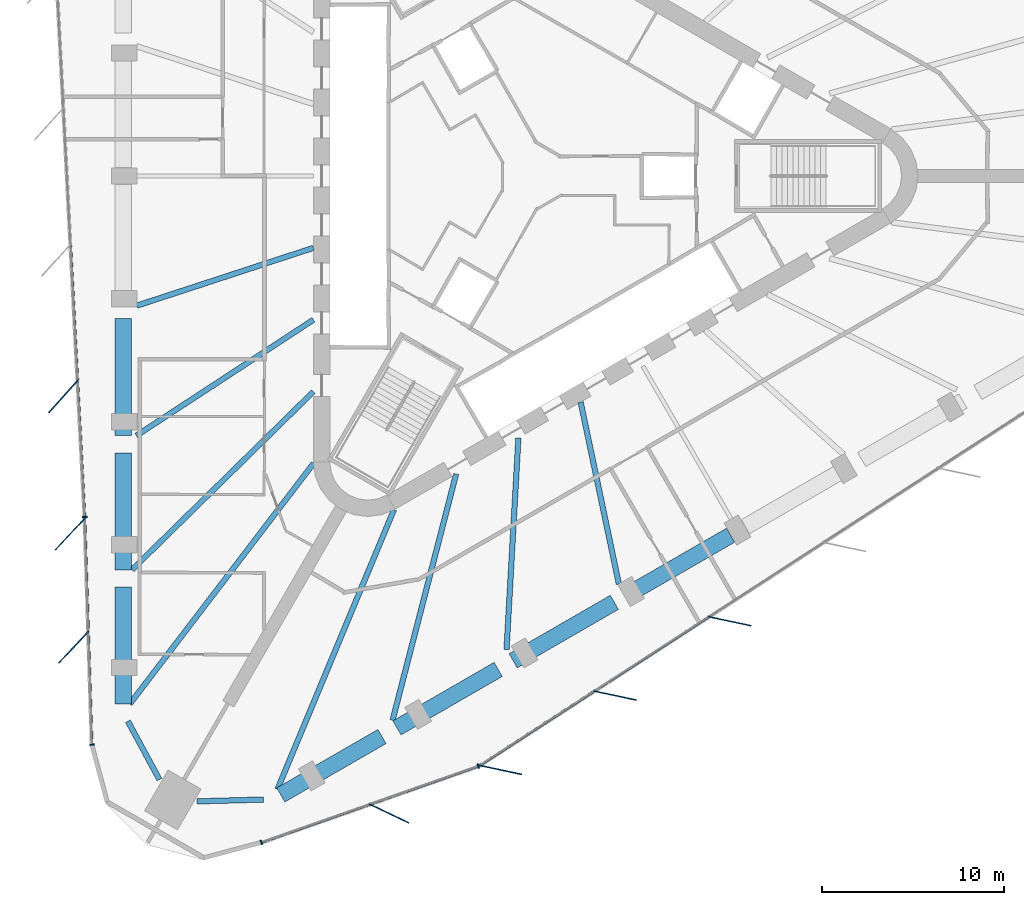
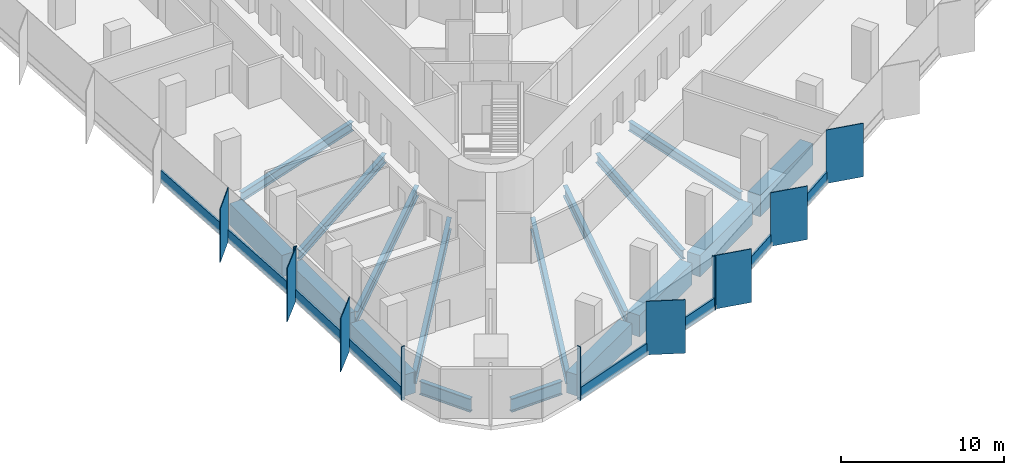
# One storey, part 2 of 13: 19 members, 17 beams, 4 elements without a shape of their own.
"""IFC4 building model written with IfcOpenShell, lengths in metres."""

import ifcopenshell
import ifcopenshell.guid

model = None  # the IFC model being written
_history = None  # IfcOwnerHistory: only IFC2X3 demands one
_inside = {}  # id of a spatial element -> (the spatial element, [elements in it])
_under = {}  # id of a project, library or spatial element -> (it, [spatial elements below it])
_declared = {}  # id of a project -> (the project, [libraries it declares])
_typed = {}  # id of a type object -> (the type object, [elements of that type])
_made_of = {}  # id of a material, layer set ... -> (it, [elements and type objects made of it])


def new_model(schema):
    """Start an empty IFC model of exactly this schema.

    Asked for "IFC4X3", IfcOpenShell would pick the latest addendum, in which some entities
    have other attributes; the version numbers below select the first issue.
    IFC2X3 requires an IfcOwnerHistory on every rooted entity: one is made here for all.
    """
    global model, _history
    if schema == "IFC4X3":
        model = ifcopenshell.file(schema_version=(4, 3, 0, 0))
    else:
        model = ifcopenshell.file(schema=schema)
    _inside.clear()
    _under.clear()
    _declared.clear()
    _typed.clear()
    _made_of.clear()
    _history = None
    if model.schema == "IFC2X3":
        org = make("IfcOrganization", Name="unknown")
        user = make(
            "IfcPersonAndOrganization",
            ThePerson=make("IfcPerson", FamilyName="unknown"),
            TheOrganization=org,
        )
        app = make(
            "IfcApplication",
            ApplicationDeveloper=org,
            Version="unknown",
            ApplicationFullName="unknown",
            ApplicationIdentifier="unknown",
        )
        _history = make(
            "IfcOwnerHistory",
            OwningUser=user,
            OwningApplication=app,
            ChangeAction="ADDED",
            CreationDate=0,
        )
    return model


def make(cls, **values):
    """One entity of the class cls with the attributes given. An attribute that is None is left unset."""
    return model.create_entity(
        cls, **{name: value for name, value in values.items() if value is not None}
    )


def rooted(cls, **values):
    """An entity with a GlobalId (a new one), such as an element, a storey or a relation."""
    return make(cls, GlobalId=ifcopenshell.guid.new(), OwnerHistory=_history, **values)


def si_unit(unit_type, name, prefix=None):
    """IfcSIUnit, for example si_unit("LENGTHUNIT", "METRE", prefix="MILLI")."""
    return make("IfcSIUnit", UnitType=unit_type, Prefix=prefix, Name=name)


def assignment(units):
    """IfcUnitAssignment: the units of a project."""
    return None if units is None else make("IfcUnitAssignment", Units=units)


def point(xyz):
    """IfcCartesianPoint."""
    return None if xyz is None else make("IfcCartesianPoint", Coordinates=xyz)


def direction(xyz):
    """IfcDirection."""
    return None if xyz is None else make("IfcDirection", DirectionRatios=xyz)


def frame(location, z_axis=None, x_axis=None):
    """IfcAxis2Placement3D, a coordinate frame: its origin and axes. An axis left out is left unset."""
    return make(
        "IfcAxis2Placement3D",
        Location=point(location),
        Axis=direction(z_axis),
        RefDirection=direction(x_axis),
    )


def frame_2d(location, x_axis=None):
    """IfcAxis2Placement2D, a coordinate frame in the plane: its origin and x axis."""
    return make(
        "IfcAxis2Placement2D", Location=point(location), RefDirection=direction(x_axis)
    )


def origin():
    """The frame at (0, 0, 0) with its axes left unset."""
    return frame((0.0, 0.0, 0.0))


def origin_2d():
    """The frame at (0, 0) in the plane with its x axis left unset."""
    return frame_2d((0.0, 0.0))


def place(relative_to, where):
    """IfcLocalPlacement: puts the frame where relative to a parent placement (None: the world)."""
    return make(
        "IfcLocalPlacement", PlacementRelTo=relative_to, RelativePlacement=where
    )


def context(
    kind, dimensions, precision=None, world=None, true_north=None, identifier=None
):
    """IfcGeometricRepresentationContext, for example the 3D "Model" context."""
    return make(
        "IfcGeometricRepresentationContext",
        ContextIdentifier=identifier,
        ContextType=kind,
        CoordinateSpaceDimension=dimensions,
        Precision=precision,
        WorldCoordinateSystem=world,
        TrueNorth=true_north,
    )


def subcontext(parent, identifier, kind, view, scale=None):
    """IfcGeometricRepresentationSubContext, for example "Body" below "Model"."""
    return make(
        "IfcGeometricRepresentationSubContext",
        ContextIdentifier=identifier,
        ContextType=kind,
        ParentContext=parent,
        TargetScale=scale,
        TargetView=view,
    )


def project(units=None, contexts=None):
    """IfcProject with its units and contexts."""
    return rooted(
        "IfcProject",
        Name="project",
        RepresentationContexts=contexts,
        UnitsInContext=assignment(units),
    )


def spatial(cls, under=None, at=None, **own):
    """A site, building, storey or space (cls), placed at a placement, below another one or the project."""
    s = rooted(cls, ObjectPlacement=at, **own)
    if under is not None:
        _under.setdefault(under.id(), (under, []))[1].append(s)
    return s


def profile(cls, at=None, kind="AREA", **sizes):
    """A parametric profile (cls). Its sizes go by their IFC names, for example OverallWidth=200.0."""
    return make(cls, ProfileType=kind, Position=at, **sizes)


def rectangle(**sizes):
    """IfcRectangleProfileDef."""
    return profile("IfcRectangleProfileDef", **sizes)


def i_section(**sizes):
    """IfcIShapeProfileDef."""
    return profile("IfcIShapeProfileDef", **sizes)


def extrude(swept, where, along, depth):
    """IfcExtrudedAreaSolid: the profile swept, set in the frame where, extruded along a direction by depth."""
    return make(
        "IfcExtrudedAreaSolid",
        SweptArea=swept,
        Position=where,
        ExtrudedDirection=direction(along),
        Depth=depth,
    )


def shape(context_of_items, identifier, shape_type, items):
    """IfcShapeRepresentation: the items that make up one representation, for example the "Body"."""
    return make(
        "IfcShapeRepresentation",
        ContextOfItems=context_of_items,
        RepresentationIdentifier=identifier,
        RepresentationType=shape_type,
        Items=items,
    )


def material(Name=None, Category=None):
    """IfcMaterial."""
    return make("IfcMaterial", Name=Name, Category=Category)


def material_profile(
    of_material, cross_section, Name=None, Category=None, Priority=None
):
    """IfcMaterialProfile: a cross section and its material."""
    return make(
        "IfcMaterialProfile",
        Name=Name,
        Material=of_material,
        Profile=cross_section,
        Priority=Priority,
        Category=Category,
    )


def profile_set(profiles, Name=None, composite=None):
    """IfcMaterialProfileSet."""
    return make(
        "IfcMaterialProfileSet",
        Name=Name,
        MaterialProfiles=profiles,
        CompositeProfile=composite,
    )


def made_of(thing, what):
    """Note that an element or type object is made of a material, layer set ...; save() writes the relation."""
    if what is not None:
        _made_of.setdefault(what.id(), (what, []))[1].append(thing)
    return thing


def type_object(cls, material=None, **own):
    """A type object (cls), such as IfcWallType, which elements share."""
    return made_of(rooted(cls, **own), material)


def element(
    cls,
    number,
    at=None,
    inside=None,
    cuts=None,
    type_object=None,
    material=None,
    context=None,
    identifier="Body",
    shape_type=None,
    held_by="IfcProductDefinitionShape",
    body=None,
    shapes=None,
    **own,
):
    """One element of the class cls, such as IfcWall. Its Tag is "e" and its number.

    at: its placement. inside: the storey or other place that contains it. cuts: it is an
    opening in that element (IfcRelVoidsElement). A single representation is given by context,
    identifier, shape_type and body (its items); several are given by shapes. held_by: the class
    of the entity that holds the representations. save() writes the other relations.
    """
    e = rooted(cls, Tag="e%d" % number, ObjectPlacement=at, **own)
    if body is not None:
        shapes = [shape(context, identifier, shape_type, body)]
    if shapes is not None:
        e.Representation = make(held_by, Representations=shapes)
    if inside is not None:
        _inside.setdefault(inside.id(), (inside, []))[1].append(e)
    if cuts is not None:
        rooted(
            "IfcRelVoidsElement", RelatingBuildingElement=cuts, RelatedOpeningElement=e
        )
    if type_object is not None:
        _typed.setdefault(type_object.id(), (type_object, []))[1].append(e)
    return made_of(e, material)


def aggregate(whole, parts):
    """IfcRelAggregates: a whole, such as a stair, and the parts it consists of."""
    return rooted("IfcRelAggregates", RelatingObject=whole, RelatedObjects=parts)


def save(model, path):
    """Write the relations noted so far, then the file.

    IfcRelAggregates (storeys below a building ...), IfcRelContainedInSpatialStructure (elements
    in a storey), IfcRelDefinesByType, IfcRelAssociatesMaterial and IfcRelDeclares: one each for
    every whole, place, type object, material and project.
    """
    for whole, parts in _under.values():
        aggregate(whole, parts)
    for where, things in _inside.values():
        rooted(
            "IfcRelContainedInSpatialStructure",
            RelatedElements=things,
            RelatingStructure=where,
        )
    for kind, things in _typed.values():
        rooted("IfcRelDefinesByType", RelatedObjects=things, RelatingType=kind)
    for what, things in _made_of.values():
        rooted("IfcRelAssociatesMaterial", RelatedObjects=things, RelatingMaterial=what)
    for by, libraries in _declared.values():
        rooted("IfcRelDeclares", RelatingContext=by, RelatedDefinitions=libraries)
    model.write(path)


model = new_model("IFC4")

# Units and contexts
model_context = context("Model", 3, precision=1e-05, world=origin(), true_north=direction((0.0, 1.0)))
body_context = subcontext(model_context, "Body", "Model", "MODEL_VIEW")
ifc_project = project(units=[si_unit("LENGTHUNIT", "METRE"), si_unit("AREAUNIT", "SQUARE_METRE"), si_unit("VOLUMEUNIT", "CUBIC_METRE"), si_unit("PLANEANGLEUNIT", "RADIAN"), si_unit("MASSUNIT", "GRAM", prefix="KILO")], contexts=[model_context])

# Site, building, storey
site_placement = place(None, origin())
site = spatial("IfcSite", under=ifc_project, at=site_placement, CompositionType="ELEMENT")
building_placement = place(site_placement, origin())
building = spatial("IfcBuilding", under=site, at=building_placement, Name="Tanit Gate Tower", CompositionType="ELEMENT")
storey_placement = place(building_placement, frame((0.0, 0.0, 169.199951171875)))
storey = spatial("IfcBuildingStorey", under=building, at=storey_placement, Name="L36", CompositionType="ELEMENT", Elevation=169.199951171875)

# Beams
ifc_material_1 = material(Name="Steel S460", Category="steel")
ifc_material_profile_1 = material_profile(ifc_material_1, i_section(OverallWidth=0.302001953125, OverallDepth=1.008056640625, WebThickness=0.02099609375, FlangeThickness=0.0400390625, FilletRadius=0.030029296875, at=origin_2d()), Name="HEM 1000")
ifc_profile_set_1 = profile_set([ifc_material_profile_1], Name="Steel S460")
beam_type_1 = type_object("IfcBeamType", Name="BELT TRUSS CHORD HEM 1000 S460", PredefinedType="BEAM", material=ifc_profile_set_1)
beam_1_placement = place(storey_placement, frame((-22.3251953125, -30.040771484375, -0.803955078125), z_axis=(0.475943110339, -0.879476068873, 0.0), x_axis=(0.879476068873, 0.475943110339, 0.0)))
element("IfcBeam", 1, at=beam_1_placement, inside=storey, type_object=beam_type_1, Name="BELT TRUSS CHORD", PredefinedType="BEAM", context=body_context, shape_type="SweptSolid", body=[
    extrude(i_section(OverallWidth=0.302001953125, OverallDepth=1.008056640625, WebThickness=0.02099609375, FlangeThickness=0.0400390625, FilletRadius=0.030029296875, at=origin_2d()), origin(), (0.0, 0.0, 1.0), 3.65478515625),
])
beam_2_placement = place(storey_placement, frame((-18.507080078125, -34.455078125, -0.803955078125), z_axis=(0.999623075292, 0.027453730969, 0.0), x_axis=(-0.027453730969, 0.999623075292, 0.0)))
element("IfcBeam", 2, at=beam_2_placement, inside=storey, type_object=beam_type_1, Name="BELT TRUSS CHORD", PredefinedType="BEAM", context=body_context, shape_type="SweptSolid", body=[
    extrude(i_section(OverallWidth=0.302001953125, OverallDepth=1.008056640625, WebThickness=0.02099609375, FlangeThickness=0.0400390625, FilletRadius=0.030029296875, at=origin_2d()), origin(), (0.0, 0.0, 1.0), 3.655029296875),
])

# Curtain wall, member
ifc_material_2 = material(Name="Aluminium bronze anodised and glass", Category="aluminium")
curtain_wall_type = type_object("IfcCurtainWallType", Name="Curtain wall typical mid", PredefinedType="NOTDEFINED", material=ifc_material_2)
curtain_wall_1_placement = place(storey_placement, origin())
curtain_wall_1 = element("IfcCurtainWall", 3, at=curtain_wall_1_placement, inside=storey, type_object=curtain_wall_type, Name="Curtain wall L36 W2", PredefinedType="NOTDEFINED")
ifc_material_3 = material(Name="Aluminium bronze anodised", Category="aluminium")
ifc_material_profile_2 = material_profile(ifc_material_3, rectangle(XDim=2.39990234375, YDim=0.055908203125, at=origin_2d()), Name="56x2400 bronze fin mullion")
ifc_profile_set_2 = profile_set([ifc_material_profile_2], Name="Aluminium bronze anodised")
member_type_1 = type_object("IfcMemberType", Name="FIN MULLION 56x2400 bronze", PredefinedType="MULLION", material=ifc_profile_set_2)
member_1_placement = place(storey_placement, frame((-25.882080078125, -12.150634765625, -0.300048828125), z_axis=(0.0, 0.0, 1.0), x_axis=(0.66948111798, 0.742829073656, 0.0)))
member_1 = element("IfcMember", 4, at=member_1_placement, type_object=member_type_1, Name="Fin mullion L36 W2.5", PredefinedType="MULLION", context=body_context, shape_type="SweptSolid", body=[
    extrude(rectangle(XDim=2.39990234375, YDim=0.055908203125, at=origin_2d()), origin(), (0.0, 0.0, 1.0), 4.0),
])

# Curtain wall, members
curtain_wall_2_placement = place(storey_placement, origin())
curtain_wall_2 = element("IfcCurtainWall", 5, at=curtain_wall_2_placement, inside=storey, type_object=curtain_wall_type, Name="Curtain wall L36 W3", PredefinedType="NOTDEFINED")
member_2_placement = place(storey_placement, frame((-25.505859375, -19.72998046875, -0.300048828125), z_axis=(0.0, 0.0, 1.0), x_axis=(0.684421819874, 0.729086258601, 0.0)))
member_2 = element("IfcMember", 6, at=member_2_placement, type_object=member_type_1, Name="Fin mullion L36 W3.1", PredefinedType="MULLION", context=body_context, shape_type="SweptSolid", body=[
    extrude(rectangle(XDim=2.39990234375, YDim=0.055908203125, at=origin_2d()), origin(), (0.0, 0.0, 1.0), 4.0),
])
member_3_placement = place(storey_placement, frame((-25.30908203125, -25.962158203125, -0.300048828125), z_axis=(0.0, 0.0, 1.0), x_axis=(0.684421819874, 0.729086258601, 0.0)))
member_3 = element("IfcMember", 7, at=member_3_placement, type_object=member_type_1, Name="Fin mullion L36 W3.2", PredefinedType="MULLION", context=body_context, shape_type="SweptSolid", body=[
    extrude(rectangle(XDim=2.39990234375, YDim=0.055908203125, at=origin_2d()), origin(), (0.0, 0.0, 1.0), 4.0),
])

# Curtain wall, member
curtain_wall_3_placement = place(storey_placement, origin())
curtain_wall_3 = element("IfcCurtainWall", 8, at=curtain_wall_3_placement, inside=storey, type_object=curtain_wall_type, Name="Curtain wall L36 SE1", PredefinedType="NOTDEFINED")
member_4_placement = place(storey_placement, frame((-7.930908203125, -35.12548828125, -0.300048828125), z_axis=(0.0, 0.0, 1.0), x_axis=(-0.901724971875, 0.432310160762, 0.0)))
member_4 = element("IfcMember", 9, at=member_4_placement, type_object=member_type_1, Name="Fin mullion L36 SE1.2", PredefinedType="MULLION", context=body_context, shape_type="SweptSolid", body=[
    extrude(rectangle(XDim=2.39990234375, YDim=0.055908203125, at=origin_2d()), origin(), (0.0, 0.0, 1.0), 4.0),
])

# Curtain wall, members
curtain_wall_4_placement = place(storey_placement, origin())
curtain_wall_4 = element("IfcCurtainWall", 10, at=curtain_wall_4_placement, inside=storey, type_object=curtain_wall_type, Name="Curtain wall L36 SE2", PredefinedType="NOTDEFINED")
member_5_placement = place(storey_placement, frame((-1.79052734375, -32.72265625, -0.300048828125), z_axis=(0.0, 0.0, 1.0), x_axis=(-0.978049407445, 0.208373118697, 0.0)))
member_5 = element("IfcMember", 11, at=member_5_placement, type_object=member_type_1, Name="Fin mullion L36 SE2.1", PredefinedType="MULLION", context=body_context, shape_type="SweptSolid", body=[
    extrude(rectangle(XDim=2.39990234375, YDim=0.055908203125, at=origin_2d()), origin(), (0.0, 0.0, 1.0), 4.0),
])
member_6_placement = place(storey_placement, frame((4.52294921875, -28.626708984375, -0.300048828125), z_axis=(0.0, 0.0, 1.0), x_axis=(-0.978049407445, 0.208373118697, 0.0)))
member_6 = element("IfcMember", 12, at=member_6_placement, type_object=member_type_1, Name="Fin mullion L36 SE2.2", PredefinedType="MULLION", context=body_context, shape_type="SweptSolid", body=[
    extrude(rectangle(XDim=2.39990234375, YDim=0.055908203125, at=origin_2d()), origin(), (0.0, 0.0, 1.0), 4.0),
])
member_7_placement = place(storey_placement, frame((10.836669921875, -24.53076171875, -0.300048828125), z_axis=(0.0, 0.0, 1.0), x_axis=(-0.978049407445, 0.208373118697, 0.0)))
member_7 = element("IfcMember", 13, at=member_7_placement, type_object=member_type_1, Name="Fin mullion L36 SE2.3", PredefinedType="MULLION", context=body_context, shape_type="SweptSolid", body=[
    extrude(rectangle(XDim=2.39990234375, YDim=0.055908203125, at=origin_2d()), origin(), (0.0, 0.0, 1.0), 4.0),
])

# Member
ifc_material_4 = material(Name="Aluminium bronze anodised", Category="aluminium")
ifc_material_profile_3 = material_profile(ifc_material_4, rectangle(XDim=0.260009765625, YDim=0.080078125, at=origin_2d()), Name="80x260 bronze mullion")
ifc_profile_set_3 = profile_set([ifc_material_profile_3], Name="Aluminium bronze anodised")
member_type_2 = type_object("IfcMemberType", Name="Mullion 80x260 typical mid", PredefinedType="MULLION", material=ifc_profile_set_3)
member_8_placement = place(storey_placement, frame((-24.70263671875, -18.79052734375, -0.300048828125), z_axis=(0.0, 0.0, 1.0), x_axis=(0.998654113645, 0.051864836844, 0.0)))
member_8 = element("IfcMember", 14, at=member_8_placement, type_object=member_type_2, Name="Mullion L36 W2.6", PredefinedType="MULLION", context=body_context, shape_type="SweptSolid", body=[
    extrude(rectangle(XDim=0.260009765625, YDim=0.080078125, at=origin_2d()), origin(), (0.0, 0.0, 1.0), 4.0),
])

member_9_placement = place(storey_placement, frame((-24.305419921875, -31.3349609375, -0.300048828125), z_axis=(0.0, 0.0, 1.0), x_axis=(0.999501147551, 0.031582527502, 0.0)))
member_9 = element("IfcMember", 15, at=member_9_placement, type_object=member_type_2, Name="Mullion L36 W3.3", PredefinedType="MULLION", context=body_context, shape_type="SweptSolid", body=[
    extrude(rectangle(XDim=0.260009765625, YDim=0.080078125, at=origin_2d()), origin(), (0.0, 0.0, 1.0), 4.0),
])

member_10_placement = place(storey_placement, frame((-14.97265625, -36.7197265625, -0.300048828125), z_axis=(0.0, 0.0, 1.0), x_axis=(-0.331926396127, 0.943305288628, 0.0)))
member_10 = element("IfcMember", 16, at=member_10_placement, type_object=member_type_2, Name="Mullion L36 SE1.1", PredefinedType="MULLION", context=body_context, shape_type="SweptSolid", body=[
    extrude(rectangle(XDim=0.260009765625, YDim=0.080078125, at=origin_2d()), origin(), (0.0, 0.0, 1.0), 4.0),
])

member_11_placement = place(storey_placement, frame((-3.0146484375, -32.511962890625, -0.300048828125), z_axis=(0.0, 0.0, 1.0), x_axis=(-0.331926396127, 0.943305288628, 0.0)))
member_11 = element("IfcMember", 17, at=member_11_placement, type_object=member_type_2, Name="Mullion L36 SE1.3", PredefinedType="MULLION", context=body_context, shape_type="SweptSolid", body=[
    extrude(rectangle(XDim=0.260009765625, YDim=0.080078125, at=origin_2d()), origin(), (0.0, 0.0, 1.0), 4.0),
])

# Beams
ifc_material_5 = material(Name="Steel S355", Category="steel")
ifc_material_profile_4 = material_profile(ifc_material_5, i_section(OverallWidth=0.300048828125, OverallDepth=0.68994140625, WebThickness=0.014404296875, FlangeThickness=0.027099609375, FilletRadius=0.027099609375, at=origin_2d()), Name="HEA 700")
ifc_profile_set_4 = profile_set([ifc_material_profile_4], Name="Steel S355")
beam_type_2 = type_object("IfcBeamType", Name="RADIAL GIRDER HEA 700 S355", PredefinedType="BEAM", material=ifc_profile_set_4)
beam_3_placement = place(storey_placement, frame((-21.83251953125, -7.14599609375, -0.64501953125), z_axis=(0.950388541719, 0.311065298242, 0.0), x_axis=(-0.311065298242, 0.950388541719, 0.0)))
element("IfcBeam", 18, at=beam_3_placement, inside=storey, type_object=beam_type_2, Name="RADIAL GIRDER", PredefinedType="BEAM", context=body_context, shape_type="SweptSolid", body=[
    extrude(i_section(OverallWidth=0.300048828125, OverallDepth=0.68994140625, WebThickness=0.014404296875, FlangeThickness=0.027099609375, FilletRadius=0.027099609375, at=origin_2d()), origin(), (0.0, 0.0, 1.0), 10.238525390625),
])
beam_4_placement = place(storey_placement, frame((-21.856689453125, -14.307861328125, -0.64501953125), z_axis=(0.836666622901, 0.547712481256, 0.0), x_axis=(-0.547712481256, 0.836666622901, 0.0)))
element("IfcBeam", 19, at=beam_4_placement, inside=storey, type_object=beam_type_2, Name="RADIAL GIRDER", PredefinedType="BEAM", context=body_context, shape_type="SweptSolid", body=[
    extrude(i_section(OverallWidth=0.300048828125, OverallDepth=0.68994140625, WebThickness=0.014404296875, FlangeThickness=0.027099609375, FilletRadius=0.027099609375, at=origin_2d()), origin(), (0.0, 0.0, 1.0), 11.658935546875),
])
beam_5_placement = place(storey_placement, frame((-1.46240234375, -26.08251953125, -0.64501953125), z_axis=(0.055972182093, 0.998432328619, 0.0), x_axis=(-0.998432328619, 0.055972182093, 0.0)))
element("IfcBeam", 20, at=beam_5_placement, inside=storey, type_object=beam_type_2, Name="RADIAL GIRDER", PredefinedType="BEAM", context=body_context, shape_type="SweptSolid", body=[
    extrude(i_section(OverallWidth=0.300048828125, OverallDepth=0.68994140625, WebThickness=0.014404296875, FlangeThickness=0.027099609375, FilletRadius=0.027099609375, at=origin_2d()), origin(), (0.0, 0.0, 1.0), 11.6591796875),
])
beam_6_placement = place(storey_placement, frame((4.7275390625, -22.48046875, -0.64501953125), z_axis=(-0.205786947525, 0.978596818015, 0.0), x_axis=(-0.978596818015, -0.205786947525, 0.0)))
element("IfcBeam", 21, at=beam_6_placement, inside=storey, type_object=beam_type_2, Name="RADIAL GIRDER", PredefinedType="BEAM", context=body_context, shape_type="SweptSolid", body=[
    extrude(i_section(OverallWidth=0.300048828125, OverallDepth=0.68994140625, WebThickness=0.014404296875, FlangeThickness=0.027099609375, FilletRadius=0.027099609375, at=origin_2d()), origin(), (0.0, 0.0, 1.0), 10.238525390625),
])
ifc_material_6 = material(Name="Steel S355", Category="steel")
ifc_material_profile_5 = material_profile(ifc_material_6, i_section(OverallWidth=0.300048828125, OverallDepth=0.7900390625, WebThickness=0.014892578125, FlangeThickness=0.028076171875, FilletRadius=0.030029296875, at=origin_2d()), Name="HEA 800")
ifc_profile_set_5 = profile_set([ifc_material_profile_5], Name="Steel S355")
beam_type_3 = type_object("IfcBeamType", Name="RADIAL GIRDER HEA 800 S355", PredefinedType="BEAM", material=ifc_profile_set_5)
for number, where, z_axis, x_axis, name in (
    (22, (-22.0986328125, -21.69921875, -0.695068359375), (0.713525004951, 0.70062976479, 0.0), (-0.70062976479, 0.713525004951, 0.0), "RADIAL GIRDER"),
    (23, (-7.742919921875, -29.98779296875, -0.695068359375), (0.250007137307, 0.968243993679, 0.0), (-0.968243993679, 0.250007137307, 0.0), "RADIAL GIRDER"),
):
    element("IfcBeam", number, at=place(storey_placement, frame(where, z_axis=z_axis, x_axis=x_axis)), inside=storey, type_object=beam_type_3, Name=name, PredefinedType="BEAM", context=body_context, shape_type="SweptSolid", body=[
        extrude(i_section(OverallWidth=0.300048828125, OverallDepth=0.7900390625, WebThickness=0.014892578125, FlangeThickness=0.028076171875, FilletRadius=0.030029296875, at=origin_2d()), origin(), (0.0, 0.0, 1.0), 14.01025390625),
    ])
ifc_material_7 = material(Name="Steel S355", Category="steel")
ifc_material_profile_6 = material_profile(ifc_material_7, i_section(OverallWidth=0.300048828125, OverallDepth=0.889892578125, WebThickness=0.01611328125, FlangeThickness=0.030029296875, FilletRadius=0.030029296875, at=origin_2d()), Name="HEA 900")
ifc_profile_set_6 = profile_set([ifc_material_profile_6], Name="Steel S355")
beam_type_4 = type_object("IfcBeamType", Name="RADIAL GIRDER HEA 900 S355", PredefinedType="BEAM", material=ifc_profile_set_6)
for number, where, z_axis, x_axis, name in (
    (24, (-22.219482421875, -29.0908203125, -0.744873046875), (0.606989396765, 0.794709929606, 0.0), (-0.794709929606, 0.606989396765, 0.0), "RADIAL GIRDER"),
    (25, (-14.08349609375, -33.7880859375, -0.744873046875), (0.384731757577, 0.923028425733, 0.0), (-0.923028425733, 0.384731757577, 0.0), "RADIAL GIRDER"),
):
    element("IfcBeam", number, at=place(storey_placement, frame(where, z_axis=z_axis, x_axis=x_axis)), inside=storey, type_object=beam_type_4, Name=name, PredefinedType="BEAM", context=body_context, shape_type="SweptSolid", body=[
        extrude(i_section(OverallWidth=0.300048828125, OverallDepth=0.889892578125, WebThickness=0.01611328125, FlangeThickness=0.030029296875, FilletRadius=0.030029296875, at=origin_2d()), origin(), (0.0, 0.0, 1.0), 16.68359375),
    ])
ifc_material_8 = material(Name="Concrete C60/75", Category="concrete")
ifc_material_profile_7 = material_profile(ifc_material_8, rectangle(XDim=0.89990234375, YDim=1.60009765625, at=origin_2d()), Name="RC 900x1600")
ifc_profile_set_7 = profile_set([ifc_material_profile_7], Name="Concrete C60/75")
beam_type_5 = type_object("IfcBeamType", Name="TRANSFER GIRDER 900x1600 C60/75", PredefinedType="USERDEFINED", material=ifc_profile_set_7)
for number, where, z_axis, x_axis, name in (
    (26, (-22.58251953125, -7.866455078125, -1.099853515625), (0.0, -1.0, 0.0), (1.0, 0.0, 0.0), "TRANSFER GIRDER"),
    (27, (-22.58251953125, -15.2578125, -1.099853515625), (0.0, -1.0, 0.0), (1.0, 0.0, 0.0), "TRANSFER GIRDER"),
    (28, (-22.58251953125, -22.6494140625, -1.099853515625), (0.0, -1.0, 0.0), (1.0, 0.0, 0.0), "TRANSFER GIRDER"),
    (29, (-13.902099609375, -34.102294921875, -1.099853515625), (0.866023373617, 0.500003516336, 0.0), (-0.500003516336, 0.866023373617, 0.0), "TRANSFER GIRDER"),
    (30, (-7.5009765625, -30.406494140625, -1.099853515625), (0.866023373617, 0.500003516336, 0.0), (-0.500003516336, 0.866023373617, 0.0), "TRANSFER GIRDER"),
):
    element("IfcBeam", number, at=place(storey_placement, frame(where, z_axis=z_axis, x_axis=x_axis)), inside=storey, type_object=beam_type_5, Name=name, ObjectType="GIRDER", PredefinedType="USERDEFINED", context=body_context, shape_type="SweptSolid", body=[
        extrude(rectangle(XDim=0.89990234375, YDim=1.60009765625, at=origin_2d()), origin(), (0.0, 0.0, 1.0), 6.44140625),
    ])
beam_7_placement = place(storey_placement, frame((-1.099609375, -26.7109375, -1.099853515625), z_axis=(0.866013897511, 0.50001992892, 0.0), x_axis=(-0.50001992892, 0.866013897511, 0.0)))
element("IfcBeam", 31, at=beam_7_placement, inside=storey, type_object=beam_type_5, Name="TRANSFER GIRDER", ObjectType="GIRDER", PredefinedType="USERDEFINED", context=body_context, shape_type="SweptSolid", body=[
    extrude(rectangle(XDim=0.89990234375, YDim=1.60009765625, at=origin_2d()), origin(), (0.0, 0.0, 1.0), 6.441162109375),
])
beam_8_placement = place(storey_placement, frame((5.301513671875, -23.01513671875, -1.099853515625), z_axis=(0.866023373617, 0.500003516336, 0.0), x_axis=(-0.500003516336, 0.866023373617, 0.0)))
element("IfcBeam", 32, at=beam_8_placement, inside=storey, type_object=beam_type_5, Name="TRANSFER GIRDER", ObjectType="GIRDER", PredefinedType="USERDEFINED", context=body_context, shape_type="SweptSolid", body=[
    extrude(rectangle(XDim=0.89990234375, YDim=1.60009765625, at=origin_2d()), origin(), (0.0, 0.0, 1.0), 6.44140625),
])

# Member
ifc_material_9 = material(Name="Aluminium bronze anodised", Category="aluminium")
ifc_material_profile_8 = material_profile(ifc_material_9, rectangle(XDim=0.139892578125, YDim=0.89990234375, at=origin_2d()), Name="140x900 bronze transom")
ifc_profile_set_8 = profile_set([ifc_material_profile_8], Name="Aluminium bronze anodised")
member_type_3 = type_object("IfcMemberType", Name="Transom 140x900 typical mid", PredefinedType="USERDEFINED", material=ifc_profile_set_8)
member_12_placement = place(storey_placement, frame((-25.481201171875, -3.79931640625, 0.150146484375), z_axis=(0.051872154399, -0.998653733582, 0.0), x_axis=(0.998653733582, 0.051872154399, 0.0)))
member_12 = element("IfcMember", 33, at=member_12_placement, type_object=member_type_3, Name="Transom L36 W2.4", ObjectType="TRANSOM", PredefinedType="USERDEFINED", context=body_context, shape_type="SweptSolid", body=[
    extrude(rectangle(XDim=0.139892578125, YDim=0.89990234375, at=origin_2d()), origin(), (0.0, 0.0, 1.0), 7.44580078125),
])

member_13_placement = place(storey_placement, frame((-25.0908203125, -11.31494140625, 0.150146484375), z_axis=(0.051872154399, -0.998653733582, 0.0), x_axis=(0.998653733582, 0.051872154399, 0.0)))
member_13 = element("IfcMember", 34, at=member_13_placement, type_object=member_type_3, Name="Transom L36 W2.5", ObjectType="TRANSOM", PredefinedType="USERDEFINED", context=body_context, shape_type="SweptSolid", body=[
    extrude(rectangle(XDim=0.139892578125, YDim=0.89990234375, at=origin_2d()), origin(), (0.0, 0.0, 1.0), 7.44580078125),
])

aggregate(curtain_wall_1, [member_1, member_8, member_12, member_13])

member_14_placement = place(storey_placement, frame((-24.697998046875, -18.910400390625, 0.150146484375), z_axis=(0.031611178283, -0.999500241825, 0.0), x_axis=(0.999500241825, 0.031611178283, 0.0)))
member_14 = element("IfcMember", 35, at=member_14_placement, type_object=member_type_3, Name="Transom L36 W3.1", ObjectType="TRANSOM", PredefinedType="USERDEFINED", context=body_context, shape_type="SweptSolid", body=[
    extrude(rectangle(XDim=0.139892578125, YDim=0.89990234375, at=origin_2d()), origin(), (0.0, 0.0, 1.0), 6.155517578125),
])

member_15_placement = place(storey_placement, frame((-24.5009765625, -25.142578125, 0.150146484375), z_axis=(0.031571555134, -0.999501494199, 0.0), x_axis=(0.999501494199, 0.031571555134, 0.0)))
member_15 = element("IfcMember", 36, at=member_15_placement, type_object=member_type_3, Name="Transom L36 W3.2", ObjectType="TRANSOM", PredefinedType="USERDEFINED", context=body_context, shape_type="SweptSolid", body=[
    extrude(rectangle(XDim=0.139892578125, YDim=0.89990234375, at=origin_2d()), origin(), (0.0, 0.0, 1.0), 6.155517578125),
])

aggregate(curtain_wall_2, [member_2, member_3, member_9, member_14, member_15])

member_16_placement = place(storey_placement, frame((-14.93505859375, -36.70654296875, 0.150146484375), z_axis=(0.94330175991, 0.331936424262, 0.0), x_axis=(-0.331936424262, 0.94330175991, 0.0)))
member_16 = element("IfcMember", 37, at=member_16_placement, type_object=member_type_3, Name="Transom L36 SE1.1", ObjectType="TRANSOM", PredefinedType="USERDEFINED", context=body_context, shape_type="SweptSolid", body=[
    extrude(rectangle(XDim=0.139892578125, YDim=0.89990234375, at=origin_2d()), origin(), (0.0, 0.0, 1.0), 6.25830078125),
])

member_17_placement = place(storey_placement, frame((-8.9560546875, -34.6025390625, 0.150146484375), z_axis=(0.94330175991, 0.331936424262, 0.0), x_axis=(-0.331936424262, 0.94330175991, 0.0)))
member_17 = element("IfcMember", 38, at=member_17_placement, type_object=member_type_3, Name="Transom L36 SE1.2", ObjectType="TRANSOM", PredefinedType="USERDEFINED", context=body_context, shape_type="SweptSolid", body=[
    extrude(rectangle(XDim=0.139892578125, YDim=0.89990234375, at=origin_2d()), origin(), (0.0, 0.0, 1.0), 6.25830078125),
])

aggregate(curtain_wall_3, [member_10, member_4, member_11, member_16, member_17])

member_18_placement = place(storey_placement, frame((-2.909912109375, -32.455078125, 0.150146484375), z_axis=(0.838936201381, 0.544229776852, 0.0), x_axis=(-0.544229776852, 0.838936201381, 0.0)))
member_18 = element("IfcMember", 39, at=member_18_placement, type_object=member_type_3, Name="Transom L36 SE2.1", ObjectType="TRANSOM", PredefinedType="USERDEFINED", context=body_context, shape_type="SweptSolid", body=[
    extrude(rectangle(XDim=0.139892578125, YDim=0.89990234375, at=origin_2d()), origin(), (0.0, 0.0, 1.0), 7.44580078125),
])

member_19_placement = place(storey_placement, frame((3.40380859375, -28.359375, 0.150146484375), z_axis=(0.838926489373, 0.544244747727, 0.0), x_axis=(-0.544244747727, 0.838926489373, 0.0)))
member_19 = element("IfcMember", 40, at=member_19_placement, type_object=member_type_3, Name="Transom L36 SE2.2", ObjectType="TRANSOM", PredefinedType="USERDEFINED", context=body_context, shape_type="SweptSolid", body=[
    extrude(rectangle(XDim=0.139892578125, YDim=0.89990234375, at=origin_2d()), origin(), (0.0, 0.0, 1.0), 7.445556640625),
])

aggregate(curtain_wall_4, [member_5, member_6, member_7, member_18, member_19])

save(model, "model.ifc")
